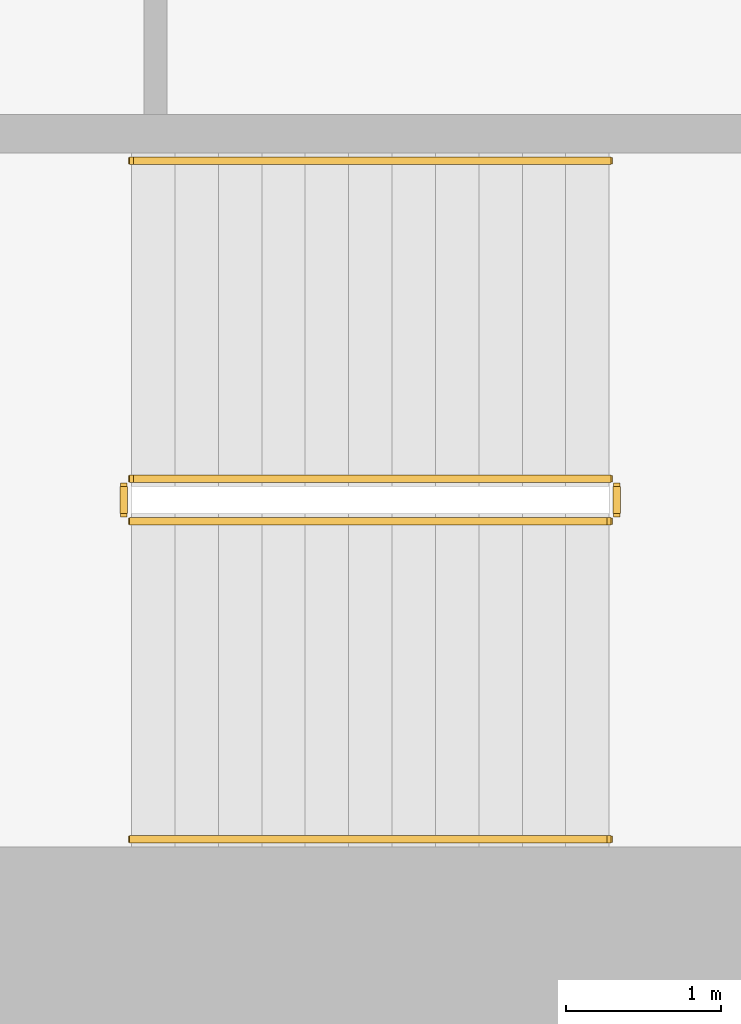
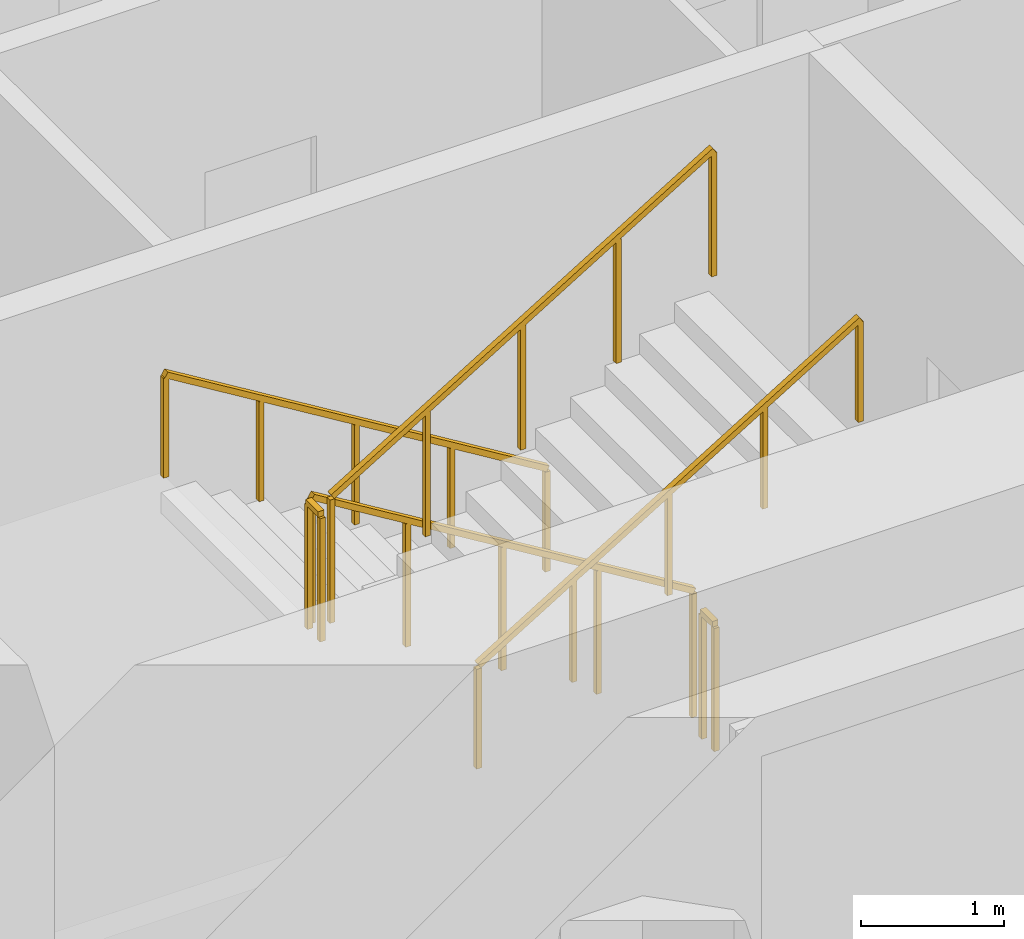
# One storey, part 9 of 14: 6 railings.
"""IFC4 building model written with IfcOpenShell, lengths in metres."""

from ifc_helpers import new_model, si_unit, direction, frame, origin, origin_2d, place, context, subcontext, project, spatial, rectangle, extrude, material, type_object, element, save


model = new_model("IFC4")

# Units and contexts
model_context = context("Model", 3, precision=1e-05, world=origin(), true_north=direction((0.0, 1.0)))
body_context = subcontext(model_context, "Body", "Model", "MODEL_VIEW")
ifc_project = project(units=[si_unit("LENGTHUNIT", "METRE"), si_unit("AREAUNIT", "SQUARE_METRE"), si_unit("VOLUMEUNIT", "CUBIC_METRE"), si_unit("PLANEANGLEUNIT", "RADIAN"), si_unit("MASSUNIT", "GRAM", prefix="KILO")], contexts=[model_context])

# Site, building, storey
site_placement = place(None, origin())
site = spatial("IfcSite", under=ifc_project, at=site_placement, CompositionType="ELEMENT")
building_placement = place(site_placement, origin())
building = spatial("IfcBuilding", under=site, at=building_placement, Name="Cypress Arch Tower", CompositionType="ELEMENT")
storey_placement = place(building_placement, frame((0.0, 0.0, 222.0)))
storey = spatial("IfcBuildingStorey", under=building, at=storey_placement, Name="L49", CompositionType="ELEMENT", Elevation=222.0)

# Railings
ifc_material_1 = material(Name="Black powder-coated steel square bar 48 mm", Category="steel")
railing_type_1 = type_object("IfcRailingType", Name="Stair handrail HR1", PredefinedType="HANDRAIL", material=ifc_material_1)
railing_1_placement = place(storey_placement, frame((-22.27490234375, -10.375, 0.1708984375)))
element("IfcRailing", 1, at=railing_1_placement, inside=storey, type_object=railing_type_1, Name="L49 A stair handrail 1", PredefinedType="HANDRAIL", context=body_context, shape_type="SweptSolid", body=[
    extrude(rectangle(XDim=0.048095703125, YDim=0.048095703125, at=origin_2d()), frame((0.0, 0.0, 0.8759765625), z_axis=(-0.853666305674, 0.0, 0.52082035152), x_axis=(0.0, -1.0, 0.0)), (0.0, 0.0, 1.0), 3.608154296875),
    extrude(rectangle(XDim=0.0419921875, YDim=0.0419921875, at=origin_2d()), origin(), (0.0, 0.0, 1.0), 0.851806640625),
    extrude(rectangle(XDim=0.0419921875, YDim=0.0419921875, at=origin_2d()), frame((-0.77001953125, 0.0, 0.4697265625)), (0.0, 0.0, 1.0), 0.851806640625),
    extrude(rectangle(XDim=0.0419921875, YDim=0.0419921875, at=origin_2d()), frame((-1.5400390625, 0.0, 0.939453125)), (0.0, 0.0, 1.0), 0.851806640625),
    extrude(rectangle(XDim=0.0419921875, YDim=0.0419921875, at=origin_2d()), frame((-2.31005859375, 0.0, 1.409423828125)), (0.0, 0.0, 1.0), 0.851806640625),
    extrude(rectangle(XDim=0.0419921875, YDim=0.0419921875, at=origin_2d()), frame((-3.080078125, 0.0, 1.879150390625)), (0.0, 0.0, 1.0), 0.851806640625),
])
railing_2_placement = place(storey_placement, frame((-25.35498046875, -14.75, 2.220947265625)))
element("IfcRailing", 2, at=railing_2_placement, inside=storey, type_object=railing_type_1, Name="L49 A stair handrail 2", PredefinedType="HANDRAIL", context=body_context, shape_type="SweptSolid", body=[
    extrude(rectangle(XDim=0.048095703125, YDim=0.048095703125, at=origin_2d()), frame((0.0, 0.0, 0.8759765625), z_axis=(0.853666305674, 0.0, 0.52082035152), x_axis=(0.0, 1.0, 0.0)), (0.0, 0.0, 1.0), 3.608154296875),
    extrude(rectangle(XDim=0.0419921875, YDim=0.0419921875, at=origin_2d()), origin(), (0.0, 0.0, 1.0), 0.851806640625),
    extrude(rectangle(XDim=0.0419921875, YDim=0.0419921875, at=origin_2d()), frame((0.77001953125, 0.0, 0.4697265625)), (0.0, 0.0, 1.0), 0.851806640625),
    extrude(rectangle(XDim=0.0419921875, YDim=0.0419921875, at=origin_2d()), frame((1.5400390625, 0.0, 0.939453125)), (0.0, 0.0, 1.0), 0.851806640625),
    extrude(rectangle(XDim=0.0419921875, YDim=0.0419921875, at=origin_2d()), frame((2.31005859375, 0.0, 1.409423828125)), (0.0, 0.0, 1.0), 0.851806640625),
    extrude(rectangle(XDim=0.0419921875, YDim=0.0419921875, at=origin_2d()), frame((3.080078125, 0.0, 1.879150390625)), (0.0, 0.0, 1.0), 0.851806640625),
])
ifc_material_2 = material(Name="Black powder-coated steel balusters", Category="steel")
railing_type_2 = type_object("IfcRailingType", Name="Stair well guard G1", PredefinedType="GUARDRAIL", material=ifc_material_2)
railing_3_placement = place(storey_placement, frame((-22.27490234375, -12.425048828125, 0.1708984375)))
element("IfcRailing", 3, at=railing_3_placement, inside=storey, type_object=railing_type_2, Name="L49 A stair guard 1", PredefinedType="GUARDRAIL", context=body_context, shape_type="SweptSolid", body=[
    extrude(rectangle(XDim=0.048095703125, YDim=0.048095703125, at=origin_2d()), frame((0.0, 0.0, 1.076171875), z_axis=(-0.853666305674, 0.0, 0.52082035152), x_axis=(0.0, -1.0, 0.0)), (0.0, 0.0, 1.0), 3.608154296875),
    extrude(rectangle(XDim=0.0419921875, YDim=0.0419921875, at=origin_2d()), origin(), (0.0, 0.0, 1.0), 1.052001953125),
    extrude(rectangle(XDim=0.0419921875, YDim=0.0419921875, at=origin_2d()), frame((-0.77001953125, 0.0, 0.4697265625)), (0.0, 0.0, 1.0), 1.052001953125),
    extrude(rectangle(XDim=0.0419921875, YDim=0.0419921875, at=origin_2d()), frame((-1.5400390625, 0.0, 0.939453125)), (0.0, 0.0, 1.0), 1.052001953125),
    extrude(rectangle(XDim=0.0419921875, YDim=0.0419921875, at=origin_2d()), frame((-2.31005859375, 0.0, 1.409423828125)), (0.0, 0.0, 1.0), 1.052001953125),
    extrude(rectangle(XDim=0.0419921875, YDim=0.0419921875, at=origin_2d()), frame((-3.080078125, 0.0, 1.879150390625)), (0.0, 0.0, 1.0), 1.052001953125),
])
railing_4_placement = place(storey_placement, frame((-25.405029296875, -12.47509765625, 2.050048828125)))
element("IfcRailing", 4, at=railing_4_placement, inside=storey, type_object=railing_type_2, Name="L49 A stair guard 2", PredefinedType="GUARDRAIL", context=body_context, shape_type="SweptSolid", body=[
    extrude(rectangle(XDim=0.048095703125, YDim=0.048095703125, at=origin_2d()), frame((0.0, 0.0, 1.076171875), z_axis=(0.0, -1.0, 0.0), x_axis=(1.0, 0.0, 0.0)), (0.0, 0.0, 1.0), 0.1748046875),
    extrude(rectangle(XDim=0.0419921875, YDim=0.0419921875, at=origin_2d()), origin(), (0.0, 0.0, 1.0), 1.052001953125),
    extrude(rectangle(XDim=0.0419921875, YDim=0.0419921875, at=origin_2d()), frame((0.0, -0.1748046875, 0.0)), (0.0, 0.0, 1.0), 1.052001953125),
])
railing_5_placement = place(storey_placement, frame((-25.35498046875, -12.699951171875, 2.220947265625)))
element("IfcRailing", 5, at=railing_5_placement, inside=storey, type_object=railing_type_2, Name="L49 A stair guard 3", PredefinedType="GUARDRAIL", context=body_context, shape_type="SweptSolid", body=[
    extrude(rectangle(XDim=0.048095703125, YDim=0.048095703125, at=origin_2d()), frame((0.0, 0.0, 1.076171875), z_axis=(0.853666305674, 0.0, 0.52082035152), x_axis=(0.0, 1.0, 0.0)), (0.0, 0.0, 1.0), 3.608154296875),
    extrude(rectangle(XDim=0.0419921875, YDim=0.0419921875, at=origin_2d()), origin(), (0.0, 0.0, 1.0), 1.052001953125),
    extrude(rectangle(XDim=0.0419921875, YDim=0.0419921875, at=origin_2d()), frame((0.77001953125, 0.0, 0.4697265625)), (0.0, 0.0, 1.0), 1.052001953125),
    extrude(rectangle(XDim=0.0419921875, YDim=0.0419921875, at=origin_2d()), frame((1.5400390625, 0.0, 0.939453125)), (0.0, 0.0, 1.0), 1.052001953125),
    extrude(rectangle(XDim=0.0419921875, YDim=0.0419921875, at=origin_2d()), frame((2.31005859375, 0.0, 1.409423828125)), (0.0, 0.0, 1.0), 1.052001953125),
    extrude(rectangle(XDim=0.0419921875, YDim=0.0419921875, at=origin_2d()), frame((3.080078125, 0.0, 1.879150390625)), (0.0, 0.0, 1.0), 1.052001953125),
])
railing_6_placement = place(storey_placement, frame((-22.22509765625, -12.47509765625, 0.0)))
element("IfcRailing", 6, at=railing_6_placement, inside=storey, type_object=railing_type_2, Name="L49 A stair guard 4", PredefinedType="GUARDRAIL", context=body_context, shape_type="SweptSolid", body=[
    extrude(rectangle(XDim=0.048095703125, YDim=0.048095703125, at=origin_2d()), frame((0.0, 0.0, 1.076171875), z_axis=(0.0, -1.0, 0.0), x_axis=(1.0, 0.0, 0.0)), (0.0, 0.0, 1.0), 0.1748046875),
    extrude(rectangle(XDim=0.0419921875, YDim=0.0419921875, at=origin_2d()), origin(), (0.0, 0.0, 1.0), 1.052001953125),
    extrude(rectangle(XDim=0.0419921875, YDim=0.0419921875, at=origin_2d()), frame((0.0, -0.1748046875, 0.0)), (0.0, 0.0, 1.0), 1.052001953125),
])

save(model, "model.ifc")
